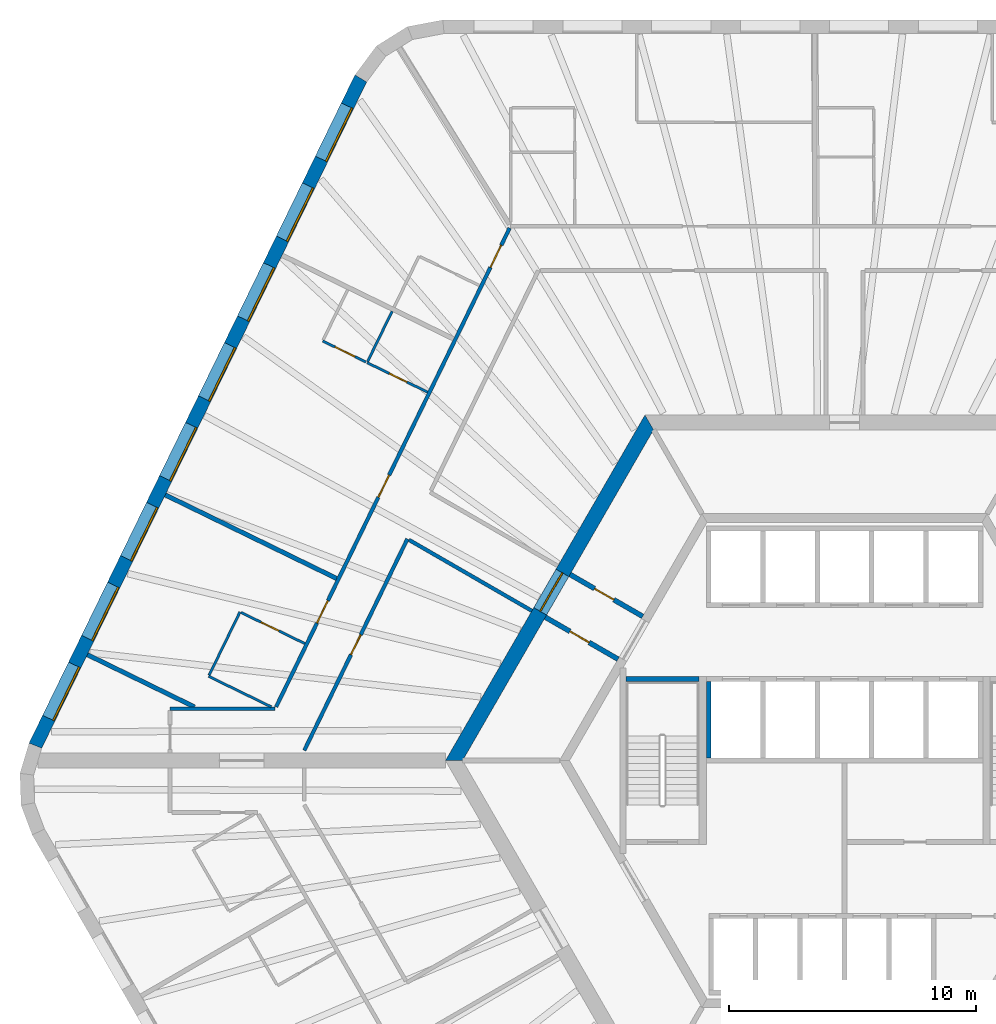
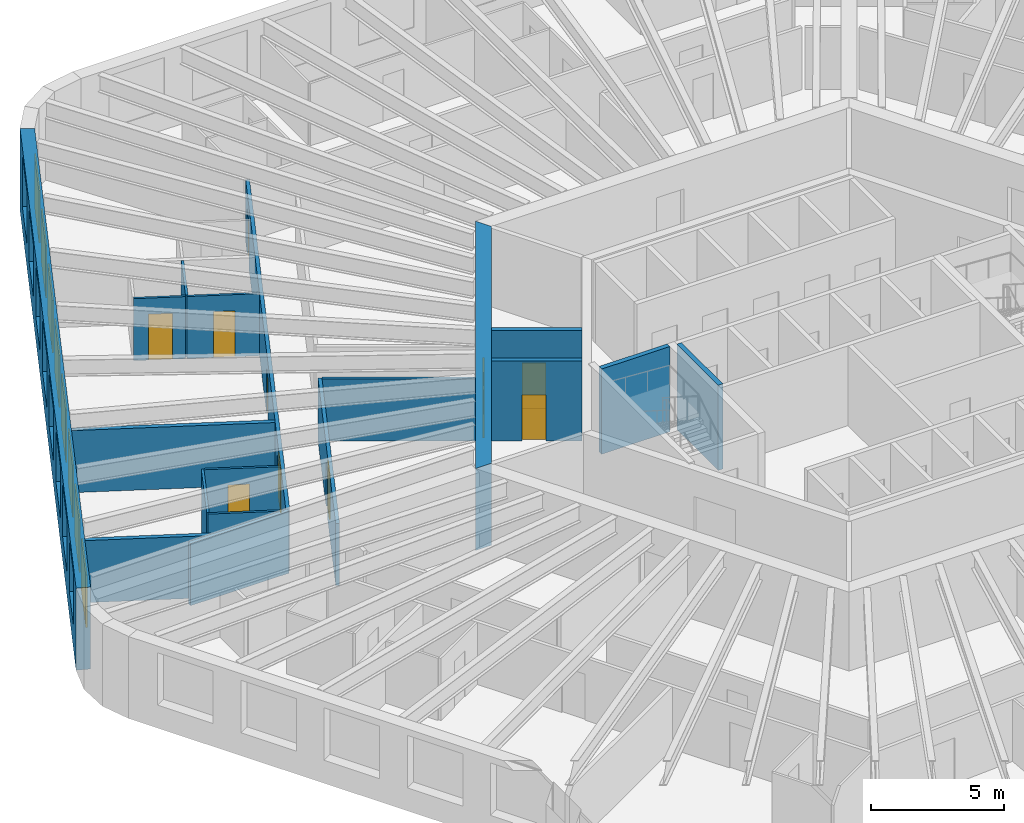
# One storey, part 7 of 12: 18 walls, 10 doors, 8 windows, 18 openings.
"""IFC4 building model written with IfcOpenShell, lengths in metres."""

from ifc_helpers import new_model, si_unit, direction, frame, frame_2d, origin, place, context, subcontext, project, spatial, polyline, rectangle, outline, extrude, material, layer, layer_set, type_object, element, fill, save


model = new_model("IFC4")

# Units and contexts
model_context = context("Model", 3, precision=1e-05, world=origin(), true_north=direction((0.0, 1.0)))
body_context = subcontext(model_context, "Body", "Model", "MODEL_VIEW")
ifc_project = project(units=[si_unit("LENGTHUNIT", "METRE"), si_unit("AREAUNIT", "SQUARE_METRE"), si_unit("VOLUMEUNIT", "CUBIC_METRE"), si_unit("PLANEANGLEUNIT", "RADIAN"), si_unit("MASSUNIT", "GRAM", prefix="KILO")], contexts=[model_context])

# Site, building, storey
site_placement = place(None, origin())
site = spatial("IfcSite", under=ifc_project, at=site_placement, CompositionType="ELEMENT")
building_placement = place(site_placement, origin())
building = spatial("IfcBuilding", under=site, at=building_placement, Name="Tarnside Tower", CompositionType="ELEMENT")
storey_placement = place(building_placement, frame((0.0, 0.0, 142.800048828125)))
storey = spatial("IfcBuildingStorey", under=building, at=storey_placement, Name="L33", CompositionType="ELEMENT", Elevation=142.800048828125)

# Wall, opening, door
ifc_material_1 = material(Name="Gypsum board partition on steel studs", Category="steel")
ifc_layer_1 = layer(ifc_material_1, 0.10009765625)
ifc_layer_set_1 = layer_set([ifc_layer_1], Name="Bathroom wall 100")
wall_type_1 = type_object("IfcWallType", Name="Bathroom wall 100", PredefinedType="PARTITIONING", material=ifc_layer_set_1)
wall_1_placement = place(storey_placement, frame((-16.89111328125, 14.92626953125, 0.0), z_axis=(0.0, 0.0, 1.0), x_axis=(-0.898791692788, 0.43837597217, 0.0)))
wall_1 = element("IfcWall", 1, at=wall_1_placement, inside=storey, type_object=wall_type_1, Name="Bathroom wall 10100", PredefinedType="PARTITIONING", context=body_context, shape_type="SweptSolid", body=[
    extrude(rectangle(XDim=2.72509765625, YDim=0.10009765625, at=frame_2d((1.362548828125, 0.0))), origin(), (0.0, 0.0, 1.0), 2.837646484375),
])
opening_1_placement = place(wall_1_placement, frame((0.925048828125, 0.0, 0.0)))
opening_1 = element("IfcOpeningElement", 2, at=opening_1_placement, cuts=wall_1, Name="Opening D-B1", PredefinedType="OPENING", context=body_context, shape_type="SweptSolid", body=[
    extrude(rectangle(XDim=0.800048828125, YDim=2.10009765625, at=frame_2d((0.39990234375, 1.050048828125))), frame((0.0, 0.06005859375, 0.0), z_axis=(0.0, -1.0, 0.0), x_axis=(1.0, 0.0, 0.0)), (0.0, 0.0, 1.0), 0.1201171875),
])
ifc_material_2 = material(Name="Timber door leaf", Category="wood")
door_type_1 = type_object("IfcDoorType", Name="Bathroom door 800", OperationType="NOTDEFINED", PredefinedType="DOOR", material=ifc_material_2)
door_1_placement = place(opening_1_placement, origin())
door_1 = element("IfcDoor", 3, at=door_1_placement, inside=storey, type_object=door_type_1, Name="Bathroom door 10012", OperationType="SINGLE_SWING_RIGHT", OverallHeight=2.10009765625, OverallWidth=0.800048828125, PredefinedType="DOOR", context=body_context, shape_type="SweptSolid", body=[
    extrude(rectangle(XDim=0.800048828125, YDim=2.10009765625, at=frame_2d((0.39990234375, 1.050048828125))), frame((0.0, 0.02490234375, 0.0), z_axis=(0.0, -1.0, 0.0), x_axis=(1.0, 0.0, 0.0)), (0.0, 0.0, 1.0), 0.050048828125),
])
fill(opening_1, door_1)

# Walls
wall_2_placement = place(storey_placement, frame((-18.327880859375, 18.197021484375, 0.0), z_axis=(0.0, 0.0, 1.0), x_axis=(-0.438376807268, -0.898791285477, 0.0)))
element("IfcWall", 4, at=wall_2_placement, inside=storey, type_object=wall_type_1, Name="Bathroom wall 10104", PredefinedType="PARTITIONING", context=body_context, shape_type="SweptSolid", body=[
    extrude(rectangle(XDim=2.260009765625, YDim=0.10009765625, at=frame_2d((1.1298828125, 0.0))), origin(), (0.0, 0.0, 1.0), 2.837646484375),
])
wall_3_placement = place(storey_placement, frame((-23.21728515625, 2.175048828125, 0.0), z_axis=(0.0, 0.0, 1.0), x_axis=(-0.89881903386, 0.438319910991, 0.0)))
element("IfcWall", 5, at=wall_3_placement, inside=storey, type_object=wall_type_1, Name="Bathroom wall 10105", PredefinedType="PARTITIONING", context=body_context, shape_type="SweptSolid", body=[
    extrude(rectangle(XDim=2.828857421875, YDim=0.10009765625, at=frame_2d((1.41455078125, 0.0))), origin(), (0.0, 0.0, 1.0), 2.837646484375),
])
wall_4_placement = place(storey_placement, frame((-25.738037109375, 3.4599609375, 0.0), z_axis=(0.0, 0.0, 1.0), x_axis=(0.438317306369, 0.898820304031, 0.0)))
element("IfcWall", 6, at=wall_4_placement, inside=storey, type_object=wall_type_1, Name="Bathroom wall 10106", PredefinedType="PARTITIONING", context=body_context, shape_type="SweptSolid", body=[
    extrude(rectangle(XDim=2.85009765625, YDim=0.10009765625, at=frame_2d((1.425048828125, 0.0))), origin(), (0.0, 0.0, 1.0), 2.837646484375),
])

# Wall, opening, door
wall_5_placement = place(storey_placement, frame((-24.44384765625, 5.999755859375, 0.0), z_axis=(0.0, 0.0, 1.0), x_axis=(0.898782318197, -0.438395192145, 0.0)))
wall_5 = element("IfcWall", 7, at=wall_5_placement, inside=storey, type_object=wall_type_1, Name="Bathroom wall 10107", PredefinedType="PARTITIONING", context=body_context, shape_type="SweptSolid", body=[
    extrude(rectangle(XDim=2.875244140625, YDim=0.10009765625, at=frame_2d((1.4375, 0.0))), origin(), (0.0, 0.0, 1.0), 2.837646484375),
])
opening_2_placement = place(wall_5_placement, frame((0.89990234375, 0.0, 0.0)))
opening_2 = element("IfcOpeningElement", 8, at=opening_2_placement, cuts=wall_5, Name="Opening D-B1", PredefinedType="OPENING", context=body_context, shape_type="SweptSolid", body=[
    extrude(rectangle(XDim=0.800048828125, YDim=2.10009765625, at=frame_2d((0.39990234375, 1.050048828125))), frame((0.0, 0.06005859375, 0.0), z_axis=(0.0, -1.0, 0.0), x_axis=(1.0, 0.0, 0.0)), (0.0, 0.0, 1.0), 0.1201171875),
])
door_2_placement = place(opening_2_placement, origin())
door_2 = element("IfcDoor", 9, at=door_2_placement, inside=storey, type_object=door_type_1, Name="Bathroom door 10015", OperationType="SINGLE_SWING_RIGHT", OverallHeight=2.10009765625, OverallWidth=0.800048828125, PredefinedType="DOOR", context=body_context, shape_type="SweptSolid", body=[
    extrude(rectangle(XDim=0.800048828125, YDim=2.10009765625, at=frame_2d((0.39990234375, 1.050048828125))), frame((0.0, 0.02490234375, 0.0), z_axis=(0.0, -1.0, 0.0), x_axis=(1.0, 0.0, 0.0)), (0.0, 0.0, 1.0), 0.050048828125),
])
fill(opening_2, door_2)

ifc_material_3 = material(Name="Concrete C40/50", Category="concrete")
ifc_layer_2 = layer(ifc_material_3, 0.199951171875)
ifc_layer_set_2 = layer_set([ifc_layer_2], Name="Core room partition 200 C40/50")
wall_type_2 = type_object("IfcWallType", Name="Core room partition 200 C40/50", PredefinedType="PARTITIONING", material=ifc_layer_set_2)
wall_6_placement = place(storey_placement, frame((-9.1748046875, 4.10888671875, 0.0), z_axis=(0.0, 0.0, 1.0), x_axis=(-0.865989465428, 0.500062241894, 0.0)))
wall_6 = element("IfcWall", 10, at=wall_6_placement, inside=storey, type_object=wall_type_2, Name="L33 core partition AC1L", PredefinedType="PARTITIONING", context=body_context, shape_type="SweptSolid", body=[
    extrude(rectangle(XDim=3.39990234375, YDim=0.199951171875, at=frame_2d((1.699951171875, 0.0))), origin(), (0.0, 0.0, 1.0), 3.64990234375),
])
opening_3_placement = place(wall_6_placement, frame((1.3505859375, 0.0, 0.0)))
opening_3 = element("IfcOpeningElement", 11, at=opening_3_placement, cuts=wall_6, Name="Opening CD-room", PredefinedType="OPENING", context=body_context, shape_type="SweptSolid", body=[
    extrude(rectangle(XDim=0.89990234375, YDim=2.10009765625, at=frame_2d((0.449951171875, 1.050048828125))), frame((0.0, 0.10986328125, 0.0), z_axis=(0.0, -1.0, 0.0), x_axis=(1.0, 0.0, 0.0)), (0.0, 0.0, 1.0), 0.219970703125),
])
ifc_material_4 = material(Name="Steel fire door", Category="steel")
door_type_2 = type_object("IfcDoorType", Name="Room door FD60 900x2100", OperationType="NOTDEFINED", PredefinedType="DOOR", material=ifc_material_4)
door_3_placement = place(opening_3_placement, origin())
door_3 = element("IfcDoor", 12, at=door_3_placement, inside=storey, type_object=door_type_2, Name="L33 core room door AX1L", OperationType="SINGLE_SWING_LEFT", OverallHeight=2.10009765625, OverallWidth=0.89990234375, PredefinedType="DOOR", context=body_context, shape_type="SweptSolid", body=[
    extrude(rectangle(XDim=0.89990234375, YDim=2.10009765625, at=frame_2d((0.449951171875, 1.050048828125))), frame((0.0, 0.02490234375, 0.0), z_axis=(0.0, -1.0, 0.0), x_axis=(1.0, 0.0, 0.0)), (0.0, 0.0, 1.0), 0.050048828125),
])
fill(opening_3, door_3)

wall_7_placement = place(storey_placement, frame((-8.1748046875, 5.841064453125, 0.0), z_axis=(0.0, 0.0, 1.0), x_axis=(-0.866020560687, 0.500008388397, 0.0)))
wall_7 = element("IfcWall", 13, at=wall_7_placement, inside=storey, type_object=wall_type_2, Name="L33 core partition AC1R", PredefinedType="PARTITIONING", context=body_context, shape_type="SweptSolid", body=[
    extrude(rectangle(XDim=3.39990234375, YDim=0.199951171875, at=frame_2d((1.699951171875, 0.0))), origin(), (0.0, 0.0, 1.0), 3.64990234375),
])
opening_4_placement = place(wall_7_placement, frame((1.349609375, 0.0, 0.0)))
opening_4 = element("IfcOpeningElement", 14, at=opening_4_placement, cuts=wall_7, Name="Opening CD-room", PredefinedType="OPENING", context=body_context, shape_type="SweptSolid", body=[
    extrude(rectangle(XDim=0.89990234375, YDim=2.10009765625, at=frame_2d((0.449951171875, 1.050048828125))), frame((0.0, 0.10986328125, 0.0), z_axis=(0.0, -1.0, 0.0), x_axis=(1.0, 0.0, 0.0)), (0.0, 0.0, 1.0), 0.219970703125),
])
door_4_placement = place(opening_4_placement, origin())
door_4 = element("IfcDoor", 15, at=door_4_placement, inside=storey, type_object=door_type_2, Name="L33 core room door AX1R", OperationType="SINGLE_SWING_LEFT", OverallHeight=2.10009765625, OverallWidth=0.89990234375, PredefinedType="DOOR", context=body_context, shape_type="SweptSolid", body=[
    extrude(rectangle(XDim=0.89990234375, YDim=2.10009765625, at=frame_2d((0.449951171875, 1.050048828125))), frame((0.0, 0.02490234375, 0.0), z_axis=(0.0, -1.0, 0.0), x_axis=(1.0, 0.0, 0.0)), (0.0, 0.0, 1.0), 0.050048828125),
])
fill(opening_4, door_4)

ifc_material_5 = material(Name="Concrete C80/95", Category="concrete")
ifc_layer_3 = layer(ifc_material_5, 0.60009765625)
ifc_layer_set_3 = layer_set([ifc_layer_3], Name="Core wall Z1 600 C80/95")
wall_type_3 = type_object("IfcWallType", Name="Core wall Z1 600 C80/95", PredefinedType="SHEAR", material=ifc_layer_set_3)
wall_8_placement = place(storey_placement, frame((-7.90966796875, 13.699951171875, -0.150146484375), z_axis=(0.0, 0.0, 1.0), x_axis=(-0.499999880136, -0.866025472988, 0.0)))
wall_8 = element("IfcWall", 16, at=wall_8_placement, inside=storey, type_object=wall_type_3, Name="L33 core wall face 2", PredefinedType="SHEAR", context=body_context, shape_type="SweptSolid", body=[
    extrude(outline(polyline([(-0.17333984375, -0.300048828125), (15.99267578125, -0.300048828125), (15.64599609375, 0.300048828125), (0.17333984375, 0.300048828125), (-0.17333984375, -0.300048828125)])), origin(), (0.0, 0.0, 1.0), 3.75),
])
opening_5_placement = place(wall_8_placement, frame((7.03857421875, 0.0, 0.14990234375)))
opening_5 = element("IfcOpeningElement", 17, at=opening_5_placement, cuts=wall_8, Name="Opening CD-LOB", PredefinedType="OPENING", context=body_context, shape_type="SweptSolid", body=[
    extrude(rectangle(XDim=1.800048828125, YDim=2.39990234375, at=frame_2d((0.89990234375, 1.199951171875))), frame((0.0, 0.31005859375, 0.0), z_axis=(0.0, -1.0, 0.0), x_axis=(1.0, 0.0, 0.0)), (0.0, 0.0, 1.0), 0.6201171875),
])
door_type_3 = type_object("IfcDoorType", Name="Lobby double door FD30S 1800x2400", OperationType="NOTDEFINED", PredefinedType="DOOR", material=ifc_material_4)
door_5_placement = place(opening_5_placement, origin())
door_5 = element("IfcDoor", 18, at=door_5_placement, inside=storey, type_object=door_type_3, Name="L33 core door P1", OperationType="DOUBLE_DOOR_SINGLE_SWING", OverallHeight=2.39990234375, OverallWidth=1.800048828125, PredefinedType="DOOR", context=body_context, shape_type="SweptSolid", body=[
    extrude(rectangle(XDim=1.800048828125, YDim=2.39990234375, at=frame_2d((0.89990234375, 1.199951171875))), frame((0.0, 0.02490234375, 0.0), z_axis=(0.0, -1.0, 0.0), x_axis=(1.0, 0.0, 0.0)), (0.0, 0.0, 1.0), 0.050048828125),
])
fill(opening_5, door_5)

# Wall, openings, doors
ifc_layer_4 = layer(ifc_material_1, 0.14990234375)
ifc_layer_set_4 = layer_set([ifc_layer_4], Name="Corridor wall 150 EI 60")
wall_type_4 = type_object("IfcWallType", Name="Corridor wall 150 EI 60", PredefinedType="PARTITIONING", material=ifc_layer_set_4)
wall_9_placement = place(storey_placement, frame((-13.56494140625, 21.574951171875, 0.0), z_axis=(0.0, 0.0, 1.0), x_axis=(-0.438378393111, -0.898790511996, 0.0)))
wall_9 = element("IfcWall", 19, at=wall_9_placement, inside=storey, type_object=wall_type_4, Name="Corridor wall 10007", PredefinedType="PARTITIONING", context=body_context, shape_type="SweptSolid", body=[
    extrude(rectangle(XDim=21.58447265625, YDim=0.14990234375, at=frame_2d((10.792236328125, 0.0))), origin(), (0.0, 0.0, 1.0), 2.837646484375),
])
opening_6_placement = place(wall_9_placement, frame((0.775146484375, 0.0, 0.0)))
opening_6 = element("IfcOpeningElement", 20, at=opening_6_placement, cuts=wall_9, Name="Opening D-E1", PredefinedType="OPENING", context=body_context, shape_type="SweptSolid", body=[
    extrude(rectangle(XDim=1.0, YDim=2.10009765625, at=frame_2d((0.5, 1.050048828125))), frame((0.0, 0.0849609375, 0.0), z_axis=(0.0, -1.0, 0.0), x_axis=(1.0, 0.0, 0.0)), (0.0, 0.0, 1.0), 0.169921875),
])
opening_7_placement = place(wall_9_placement, frame((11.1337890625, 0.0, 0.0)))
opening_7 = element("IfcOpeningElement", 21, at=opening_7_placement, cuts=wall_9, Name="Opening D-E1", PredefinedType="OPENING", context=body_context, shape_type="SweptSolid", body=[
    extrude(rectangle(XDim=1.0, YDim=2.10009765625, at=frame_2d((0.5, 1.050048828125))), frame((0.0, 0.0849609375, 0.0), z_axis=(0.0, -1.0, 0.0), x_axis=(1.0, 0.0, 0.0)), (0.0, 0.0, 1.0), 0.169921875),
])
opening_8_placement = place(wall_9_placement, frame((16.80078125, 0.0, 0.0)))
opening_8 = element("IfcOpeningElement", 22, at=opening_8_placement, cuts=wall_9, Name="Opening D-E1", PredefinedType="OPENING", context=body_context, shape_type="SweptSolid", body=[
    extrude(rectangle(XDim=1.0, YDim=2.10009765625, at=frame_2d((0.5, 1.050048828125))), frame((0.0, 0.0849609375, 0.0), z_axis=(0.0, -1.0, 0.0), x_axis=(1.0, 0.0, 0.0)), (0.0, 0.0, 1.0), 0.169921875),
])
door_type_4 = type_object("IfcDoorType", Name="Unit entrance door 1000 FD30S", OperationType="NOTDEFINED", PredefinedType="DOOR", material=ifc_material_2)
door_6_placement = place(opening_6_placement, origin())
door_6 = element("IfcDoor", 23, at=door_6_placement, inside=storey, type_object=door_type_4, Name="Unit door 10009", OperationType="SINGLE_SWING_RIGHT", OverallHeight=2.10009765625, OverallWidth=1.0, PredefinedType="DOOR", context=body_context, shape_type="SweptSolid", body=[
    extrude(rectangle(XDim=1.0, YDim=2.10009765625, at=frame_2d((0.5, 1.050048828125))), frame((0.0, 0.02490234375, 0.0), z_axis=(0.0, -1.0, 0.0), x_axis=(1.0, 0.0, 0.0)), (0.0, 0.0, 1.0), 0.050048828125),
])
fill(opening_6, door_6)
door_7_placement = place(opening_7_placement, origin())
door_7 = element("IfcDoor", 24, at=door_7_placement, inside=storey, type_object=door_type_4, Name="Unit door 10011", OperationType="SINGLE_SWING_LEFT", OverallHeight=2.10009765625, OverallWidth=1.0, PredefinedType="DOOR", context=body_context, shape_type="SweptSolid", body=[
    extrude(rectangle(XDim=1.0, YDim=2.10009765625, at=frame_2d((0.5, 1.050048828125))), frame((0.0, 0.02490234375, 0.0), z_axis=(0.0, -1.0, 0.0), x_axis=(1.0, 0.0, 0.0)), (0.0, 0.0, 1.0), 0.050048828125),
])
fill(opening_7, door_7)
door_8_placement = place(opening_8_placement, origin())
door_8 = element("IfcDoor", 25, at=door_8_placement, inside=storey, type_object=door_type_4, Name="Unit door 10014", OperationType="SINGLE_SWING_RIGHT", OverallHeight=2.10009765625, OverallWidth=1.0, PredefinedType="DOOR", context=body_context, shape_type="SweptSolid", body=[
    extrude(rectangle(XDim=1.0, YDim=2.10009765625, at=frame_2d((0.5, 1.050048828125))), frame((0.0, 0.02490234375, 0.0), z_axis=(0.0, -1.0, 0.0), x_axis=(1.0, 0.0, 0.0)), (0.0, 0.0, 1.0), 0.050048828125),
])
fill(opening_8, door_8)

# Wall
wall_10_placement = place(storey_placement, frame((-23.0634765625, 2.10009765625, 0.0), z_axis=(0.0, 0.0, 1.0), x_axis=(-1.0, 0.0, 0.0)))
element("IfcWall", 26, at=wall_10_placement, inside=storey, type_object=wall_type_4, Name="Corridor wall 10011", PredefinedType="PARTITIONING", context=body_context, shape_type="SweptSolid", body=[
    extrude(rectangle(XDim=4.2568359375, YDim=0.14990234375, at=frame_2d((2.12841796875, 0.0))), origin(), (0.0, 0.0, 1.0), 2.837646484375),
])

# Wall, opening, door
wall_11_placement = place(storey_placement, frame((-21.88525390625, 0.41015625, 0.0), z_axis=(0.0, 0.0, 1.0), x_axis=(0.43837064471, 0.898794291179, 0.0)))
wall_11 = element("IfcWall", 27, at=wall_11_placement, inside=storey, type_object=wall_type_4, Name="Corridor wall 10023", PredefinedType="PARTITIONING", context=body_context, shape_type="SweptSolid", body=[
    extrude(rectangle(XDim=9.53173828125, YDim=0.14990234375, at=frame_2d((4.765869140625, 0.0))), origin(), (0.0, 0.0, 1.0), 2.837646484375),
])
opening_9_placement = place(wall_11_placement, frame((4.31591796875, 0.0, 0.0)))
opening_9 = element("IfcOpeningElement", 28, at=opening_9_placement, cuts=wall_11, Name="Opening D-S1", PredefinedType="OPENING", context=body_context, shape_type="SweptSolid", body=[
    extrude(rectangle(XDim=0.89990234375, YDim=2.10009765625, at=frame_2d((0.449951171875, 1.050048828125))), frame((0.0, 0.0849609375, 0.0), z_axis=(0.0, -1.0, 0.0), x_axis=(1.0, 0.0, 0.0)), (0.0, 0.0, 1.0), 0.169921875),
])
door_type_5 = type_object("IfcDoorType", Name="Service room door 900 FD30S", OperationType="NOTDEFINED", PredefinedType="DOOR", material=ifc_material_2)
door_9_placement = place(opening_9_placement, origin())
door_9 = element("IfcDoor", 29, at=door_9_placement, inside=storey, type_object=door_type_5, Name="Service door 10044", OperationType="SINGLE_SWING_RIGHT", OverallHeight=2.10009765625, OverallWidth=0.89990234375, PredefinedType="DOOR", context=body_context, shape_type="SweptSolid", body=[
    extrude(rectangle(XDim=0.89990234375, YDim=2.10009765625, at=frame_2d((0.449951171875, 1.050048828125))), frame((0.0, 0.02490234375, 0.0), z_axis=(0.0, -1.0, 0.0), x_axis=(1.0, 0.0, 0.0)), (0.0, 0.0, 1.0), 0.050048828125),
])
fill(opening_9, door_9)

# Walls
wall_12_placement = place(storey_placement, frame((-17.6416015625, 8.939697265625, 0.0), z_axis=(0.0, 0.0, 1.0), x_axis=(0.866017948234, -0.500012913169, 0.0)))
element("IfcWall", 30, at=wall_12_placement, inside=storey, type_object=wall_type_4, Name="Corridor wall 10024", PredefinedType="PARTITIONING", context=body_context, shape_type="SweptSolid", body=[
    extrude(rectangle(XDim=5.747802734375, YDim=0.14990234375, at=frame_2d((2.8740234375, 0.0))), origin(), (0.0, 0.0, 1.0), 2.837646484375),
])
ifc_layer_5 = layer(ifc_material_1, 0.179931640625)
ifc_layer_set_5 = layer_set([ifc_layer_5], Name="Demising wall 180 EI 60")
wall_type_5 = type_object("IfcWallType", Name="Demising wall 180 EI 60", PredefinedType="PARTITIONING", material=ifc_layer_set_5)
wall_13_placement = place(storey_placement, frame((-27.5166015625, 10.762939453125, 0.0), z_axis=(0.0, 0.0, 1.0), x_axis=(0.898789402655, -0.438380667542, 0.0)))
element("IfcWall", 31, at=wall_13_placement, inside=storey, type_object=wall_type_5, Name="Demising wall 10103", PredefinedType="PARTITIONING", context=body_context, shape_type="SweptSolid", body=[
    extrude(rectangle(XDim=7.724853515625, YDim=0.179931640625, at=frame_2d((3.8623046875, 0.0))), origin(), (0.0, 0.0, 1.0), 2.837646484375),
])
wall_14_placement = place(storey_placement, frame((-30.673095703125, 4.29150390625, 0.0), z_axis=(0.0, 0.0, 1.0), x_axis=(0.898812662672, -0.438332975512, 0.0)))
element("IfcWall", 32, at=wall_14_placement, inside=storey, type_object=wall_type_5, Name="Demising wall 10108", PredefinedType="PARTITIONING", context=body_context, shape_type="SweptSolid", body=[
    extrude(rectangle(XDim=4.828369140625, YDim=0.179931640625, at=frame_2d((2.4140625, 0.0))), origin(), (0.0, 0.0, 1.0), 2.837646484375),
])
ifc_layer_6 = layer(ifc_material_3, 0.199951171875)
ifc_layer_set_6 = layer_set([ifc_layer_6], Name="Lift shaft wall 200 C40/50")
wall_type_6 = type_object("IfcWallType", Name="Lift shaft wall 200 C40/50", PredefinedType="SHEAR", material=ifc_layer_set_6)
wall_15_placement = place(storey_placement, frame((-5.5, 0.10009765625, -0.25), z_axis=(0.0, 0.0, 1.0), x_axis=(0.0, 1.0, 0.0)))
element("IfcWall", 33, at=wall_15_placement, inside=storey, type_object=wall_type_6, Name="L33 lift shaft partition R21", PredefinedType="SHEAR", context=body_context, shape_type="SweptSolid", body=[
    extrude(rectangle(XDim=3.099853515625, YDim=0.199951171875, at=frame_2d((1.5498046875, 0.0))), origin(), (0.0, 0.0, 1.0), 3.89990234375),
])
wall_16_placement = place(storey_placement, frame((-8.85009765625, 3.300048828125, -0.25), z_axis=(0.0, 0.0, 1.0), x_axis=(1.0, 0.0, 0.0)))
element("IfcWall", 34, at=wall_16_placement, inside=storey, type_object=wall_type_6, Name="L33 stair 2 enclosure cap wall n", PredefinedType="SHEAR", context=body_context, shape_type="SweptSolid", body=[
    extrude(rectangle(XDim=2.9501953125, YDim=0.199951171875, at=frame_2d((1.47509765625, 0.0))), origin(), (0.0, 0.0, 1.0), 3.89990234375),
])

# Wall, opening, door
ifc_layer_7 = layer(ifc_material_1, 0.10009765625)
ifc_layer_set_7 = layer_set([ifc_layer_7], Name="Partition 100")
wall_type_7 = type_object("IfcWallType", Name="Partition 100", PredefinedType="PARTITIONING", material=ifc_layer_set_7)
wall_17_placement = place(storey_placement, frame((-19.38525390625, 16.142822265625, 0.0), z_axis=(0.0, 0.0, 1.0), x_axis=(-0.898815368173, 0.438327427772, 0.0)))
wall_17 = element("IfcWall", 35, at=wall_17_placement, inside=storey, type_object=wall_type_7, Name="Partition wall 10101", PredefinedType="PARTITIONING", context=body_context, shape_type="SweptSolid", body=[
    extrude(rectangle(XDim=1.949951171875, YDim=0.10009765625, at=frame_2d((0.97509765625, 0.0))), origin(), (0.0, 0.0, 1.0), 2.837646484375),
])
opening_10_placement = place(wall_17_placement, frame((0.5, 0.0, 0.0)))
opening_10 = element("IfcOpeningElement", 36, at=opening_10_placement, cuts=wall_17, Name="Opening D-I1", PredefinedType="OPENING", context=body_context, shape_type="SweptSolid", body=[
    extrude(rectangle(XDim=0.89990234375, YDim=2.10009765625, at=frame_2d((0.449951171875, 1.050048828125))), frame((0.0, 0.06005859375, 0.0), z_axis=(0.0, -1.0, 0.0), x_axis=(1.0, 0.0, 0.0)), (0.0, 0.0, 1.0), 0.1201171875),
])
door_type_6 = type_object("IfcDoorType", Name="Internal door 900", OperationType="NOTDEFINED", PredefinedType="DOOR", material=ifc_material_2)
door_10_placement = place(opening_10_placement, origin())
door_10 = element("IfcDoor", 37, at=door_10_placement, inside=storey, type_object=door_type_6, Name="Internal door 10013", OperationType="SINGLE_SWING_LEFT", OverallHeight=2.10009765625, OverallWidth=0.89990234375, PredefinedType="DOOR", context=body_context, shape_type="SweptSolid", body=[
    extrude(rectangle(XDim=0.89990234375, YDim=2.10009765625, at=frame_2d((0.449951171875, 1.050048828125))), frame((0.0, 0.02490234375, 0.0), z_axis=(0.0, -1.0, 0.0), x_axis=(1.0, 0.0, 0.0)), (0.0, 0.0, 1.0), 0.050048828125),
])
fill(opening_10, door_10)

# Wall, openings, windows
ifc_material_6 = material(Name="Facing brick", Category="masonry")
ifc_layer_8 = layer(ifc_material_6, 0.10205078125)
ifc_material_7 = material(Name="Concrete C60/75 precast", Category="concrete")
ifc_layer_9 = layer(ifc_material_7, 0.347900390625)
ifc_material_8 = material(Name="Mineral wool insulation")
ifc_layer_10 = layer(ifc_material_8, 0.10009765625)
ifc_layer_set_8 = layer_set([ifc_layer_8, ifc_layer_9, ifc_layer_10], Name="Tube wall 550 brick faced")
wall_type_8 = type_object("IfcWallType", Name="Tube wall 550 brick faced", PredefinedType="SOLIDWALL", material=ifc_layer_set_8)
wall_18_placement = place(storey_placement, frame((-19.5947265625, 27.6328125, -0.150146484375), z_axis=(0.0, 0.0, 1.0), x_axis=(-0.438368285794, -0.898795441694, 0.0)))
wall_18 = element("IfcWall", 38, at=wall_18_placement, inside=storey, type_object=wall_type_8, Name="Tube wall L33 F2 flush 04", PredefinedType="SOLIDWALL", context=body_context, shape_type="SweptSolid", body=[
    extrude(outline(polyline([(-0.025634765625, -0.27490234375), (30.09326171875, -0.27490234375), (30.04833984375, 0.27490234375), (0.025634765625, 0.27490234375), (-0.025634765625, -0.27490234375)])), origin(), (0.0, 0.0, 1.0), 3.75),
])
opening_11_placement = place(wall_18_placement, frame((1.235595703125, 0.0, 1.050048828125)))
opening_11 = element("IfcOpeningElement", 39, at=opening_11_placement, cuts=wall_18, Name="Opening WH", PredefinedType="OPENING", context=body_context, shape_type="SweptSolid", body=[
    extrude(rectangle(XDim=2.39990234375, YDim=2.39990234375, at=frame_2d((1.199951171875, 1.199951171875))), frame((0.0, 0.28515625, 0.0), z_axis=(0.0, -1.0, 0.0), x_axis=(1.0, 0.0, 0.0)), (0.0, 0.0, 1.0), 0.570068359375),
])
opening_12_placement = place(wall_18_placement, frame((4.83544921875, 0.0, 1.050048828125)))
opening_12 = element("IfcOpeningElement", 40, at=opening_12_placement, cuts=wall_18, Name="Opening WH", PredefinedType="OPENING", context=body_context, shape_type="SweptSolid", body=[
    extrude(rectangle(XDim=2.39990234375, YDim=2.39990234375, at=frame_2d((1.199951171875, 1.199951171875))), frame((0.0, 0.28515625, 0.0), z_axis=(0.0, -1.0, 0.0), x_axis=(1.0, 0.0, 0.0)), (0.0, 0.0, 1.0), 0.570068359375),
])
opening_13_placement = place(wall_18_placement, frame((8.435546875, 0.0, 1.050048828125)))
opening_13 = element("IfcOpeningElement", 41, at=opening_13_placement, cuts=wall_18, Name="Opening WH", PredefinedType="OPENING", context=body_context, shape_type="SweptSolid", body=[
    extrude(rectangle(XDim=2.39990234375, YDim=2.39990234375, at=frame_2d((1.199951171875, 1.199951171875))), frame((0.0, 0.28515625, 0.0), z_axis=(0.0, -1.0, 0.0), x_axis=(1.0, 0.0, 0.0)), (0.0, 0.0, 1.0), 0.570068359375),
])
opening_14_placement = place(wall_18_placement, frame((12.035400390625, 0.0, 1.050048828125)))
opening_14 = element("IfcOpeningElement", 42, at=opening_14_placement, cuts=wall_18, Name="Opening WH", PredefinedType="OPENING", context=body_context, shape_type="SweptSolid", body=[
    extrude(rectangle(XDim=2.39990234375, YDim=2.39990234375, at=frame_2d((1.199951171875, 1.199951171875))), frame((0.0, 0.28515625, 0.0), z_axis=(0.0, -1.0, 0.0), x_axis=(1.0, 0.0, 0.0)), (0.0, 0.0, 1.0), 0.570068359375),
])
opening_15_placement = place(wall_18_placement, frame((15.635498046875, 0.0, 1.050048828125)))
opening_15 = element("IfcOpeningElement", 43, at=opening_15_placement, cuts=wall_18, Name="Opening WH", PredefinedType="OPENING", context=body_context, shape_type="SweptSolid", body=[
    extrude(rectangle(XDim=2.39990234375, YDim=2.39990234375, at=frame_2d((1.199951171875, 1.199951171875))), frame((0.0, 0.28515625, 0.0), z_axis=(0.0, -1.0, 0.0), x_axis=(1.0, 0.0, 0.0)), (0.0, 0.0, 1.0), 0.570068359375),
])
opening_16_placement = place(wall_18_placement, frame((19.235595703125, 0.0, 1.050048828125)))
opening_16 = element("IfcOpeningElement", 44, at=opening_16_placement, cuts=wall_18, Name="Opening WH", PredefinedType="OPENING", context=body_context, shape_type="SweptSolid", body=[
    extrude(rectangle(XDim=2.39990234375, YDim=2.39990234375, at=frame_2d((1.199951171875, 1.199951171875))), frame((0.0, 0.28515625, 0.0), z_axis=(0.0, -1.0, 0.0), x_axis=(1.0, 0.0, 0.0)), (0.0, 0.0, 1.0), 0.570068359375),
])
opening_17_placement = place(wall_18_placement, frame((22.83544921875, 0.0, 1.050048828125)))
opening_17 = element("IfcOpeningElement", 45, at=opening_17_placement, cuts=wall_18, Name="Opening WH", PredefinedType="OPENING", context=body_context, shape_type="SweptSolid", body=[
    extrude(rectangle(XDim=2.39990234375, YDim=2.39990234375, at=frame_2d((1.199951171875, 1.199951171875))), frame((0.0, 0.28515625, 0.0), z_axis=(0.0, -1.0, 0.0), x_axis=(1.0, 0.0, 0.0)), (0.0, 0.0, 1.0), 0.570068359375),
])
opening_18_placement = place(wall_18_placement, frame((26.435546875, 0.0, 1.050048828125)))
opening_18 = element("IfcOpeningElement", 46, at=opening_18_placement, cuts=wall_18, Name="Opening WH", PredefinedType="OPENING", context=body_context, shape_type="SweptSolid", body=[
    extrude(rectangle(XDim=2.39990234375, YDim=2.39990234375, at=frame_2d((1.199951171875, 1.199951171875))), frame((0.0, 0.28515625, 0.0), z_axis=(0.0, -1.0, 0.0), x_axis=(1.0, 0.0, 0.0)), (0.0, 0.0, 1.0), 0.570068359375),
])
ifc_material_9 = material(Name="Aluminium-framed double glazing", Category="aluminium")
window_type = type_object("IfcWindowType", Name="Hotel window 2400 x 2400", PartitioningType="DOUBLE_PANEL_VERTICAL", PredefinedType="WINDOW", material=ifc_material_9)
window_1_placement = place(opening_11_placement, frame((0.0, 0.205078125, 0.0)))
window_1 = element("IfcWindow", 47, at=window_1_placement, inside=storey, type_object=window_type, Name="E.WN.L33.F2.00", OverallHeight=2.39990234375, OverallWidth=2.39990234375, PartitioningType="DOUBLE_PANEL_VERTICAL", PredefinedType="WINDOW", context=body_context, shape_type="SweptSolid", body=[
    extrude(rectangle(XDim=2.39990234375, YDim=2.39990234375, at=frame_2d((1.199951171875, 1.199951171875))), frame((0.0, 0.030029296875, 0.0), z_axis=(0.0, -1.0, 0.0), x_axis=(1.0, 0.0, 0.0)), (0.0, 0.0, 1.0), 0.06005859375),
])
fill(opening_11, window_1)
window_2_placement = place(opening_12_placement, frame((0.0, 0.205078125, 0.0)))
window_2 = element("IfcWindow", 48, at=window_2_placement, inside=storey, type_object=window_type, Name="E.WN.L33.F2.01", OverallHeight=2.39990234375, OverallWidth=2.39990234375, PartitioningType="DOUBLE_PANEL_VERTICAL", PredefinedType="WINDOW", context=body_context, shape_type="SweptSolid", body=[
    extrude(rectangle(XDim=2.39990234375, YDim=2.39990234375, at=frame_2d((1.199951171875, 1.199951171875))), frame((0.0, 0.030029296875, 0.0), z_axis=(0.0, -1.0, 0.0), x_axis=(1.0, 0.0, 0.0)), (0.0, 0.0, 1.0), 0.06005859375),
])
fill(opening_12, window_2)
window_3_placement = place(opening_13_placement, frame((0.0, 0.205078125, 0.0)))
window_3 = element("IfcWindow", 49, at=window_3_placement, inside=storey, type_object=window_type, Name="E.WN.L33.F2.02", OverallHeight=2.39990234375, OverallWidth=2.39990234375, PartitioningType="DOUBLE_PANEL_VERTICAL", PredefinedType="WINDOW", context=body_context, shape_type="SweptSolid", body=[
    extrude(rectangle(XDim=2.39990234375, YDim=2.39990234375, at=frame_2d((1.199951171875, 1.199951171875))), frame((0.0, 0.030029296875, 0.0), z_axis=(0.0, -1.0, 0.0), x_axis=(1.0, 0.0, 0.0)), (0.0, 0.0, 1.0), 0.06005859375),
])
fill(opening_13, window_3)
window_4_placement = place(opening_14_placement, frame((0.0, 0.205078125, 0.0)))
window_4 = element("IfcWindow", 50, at=window_4_placement, inside=storey, type_object=window_type, Name="E.WN.L33.F2.03", OverallHeight=2.39990234375, OverallWidth=2.39990234375, PartitioningType="DOUBLE_PANEL_VERTICAL", PredefinedType="WINDOW", context=body_context, shape_type="SweptSolid", body=[
    extrude(rectangle(XDim=2.39990234375, YDim=2.39990234375, at=frame_2d((1.199951171875, 1.199951171875))), frame((0.0, 0.030029296875, 0.0), z_axis=(0.0, -1.0, 0.0), x_axis=(1.0, 0.0, 0.0)), (0.0, 0.0, 1.0), 0.06005859375),
])
fill(opening_14, window_4)
window_5_placement = place(opening_15_placement, frame((0.0, 0.205078125, 0.0)))
window_5 = element("IfcWindow", 51, at=window_5_placement, inside=storey, type_object=window_type, Name="E.WN.L33.F2.04", OverallHeight=2.39990234375, OverallWidth=2.39990234375, PartitioningType="DOUBLE_PANEL_VERTICAL", PredefinedType="WINDOW", context=body_context, shape_type="SweptSolid", body=[
    extrude(rectangle(XDim=2.39990234375, YDim=2.39990234375, at=frame_2d((1.199951171875, 1.199951171875))), frame((0.0, 0.030029296875, 0.0), z_axis=(0.0, -1.0, 0.0), x_axis=(1.0, 0.0, 0.0)), (0.0, 0.0, 1.0), 0.06005859375),
])
fill(opening_15, window_5)
window_6_placement = place(opening_16_placement, frame((0.0, 0.205078125, 0.0)))
window_6 = element("IfcWindow", 52, at=window_6_placement, inside=storey, type_object=window_type, Name="E.WN.L33.F2.05", OverallHeight=2.39990234375, OverallWidth=2.39990234375, PartitioningType="DOUBLE_PANEL_VERTICAL", PredefinedType="WINDOW", context=body_context, shape_type="SweptSolid", body=[
    extrude(rectangle(XDim=2.39990234375, YDim=2.39990234375, at=frame_2d((1.199951171875, 1.199951171875))), frame((0.0, 0.030029296875, 0.0), z_axis=(0.0, -1.0, 0.0), x_axis=(1.0, 0.0, 0.0)), (0.0, 0.0, 1.0), 0.06005859375),
])
fill(opening_16, window_6)
window_7_placement = place(opening_17_placement, frame((0.0, 0.205078125, 0.0)))
window_7 = element("IfcWindow", 53, at=window_7_placement, inside=storey, type_object=window_type, Name="E.WN.L33.F2.06", OverallHeight=2.39990234375, OverallWidth=2.39990234375, PartitioningType="DOUBLE_PANEL_VERTICAL", PredefinedType="WINDOW", context=body_context, shape_type="SweptSolid", body=[
    extrude(rectangle(XDim=2.39990234375, YDim=2.39990234375, at=frame_2d((1.199951171875, 1.199951171875))), frame((0.0, 0.030029296875, 0.0), z_axis=(0.0, -1.0, 0.0), x_axis=(1.0, 0.0, 0.0)), (0.0, 0.0, 1.0), 0.06005859375),
])
fill(opening_17, window_7)
window_8_placement = place(opening_18_placement, frame((0.0, 0.205078125, 0.0)))
window_8 = element("IfcWindow", 54, at=window_8_placement, inside=storey, type_object=window_type, Name="E.WN.L33.F2.07", OverallHeight=2.39990234375, OverallWidth=2.39990234375, PartitioningType="DOUBLE_PANEL_VERTICAL", PredefinedType="WINDOW", context=body_context, shape_type="SweptSolid", body=[
    extrude(rectangle(XDim=2.39990234375, YDim=2.39990234375, at=frame_2d((1.199951171875, 1.199951171875))), frame((0.0, 0.030029296875, 0.0), z_axis=(0.0, -1.0, 0.0), x_axis=(1.0, 0.0, 0.0)), (0.0, 0.0, 1.0), 0.06005859375),
])
fill(opening_18, window_8)

save(model, "model.ifc")
